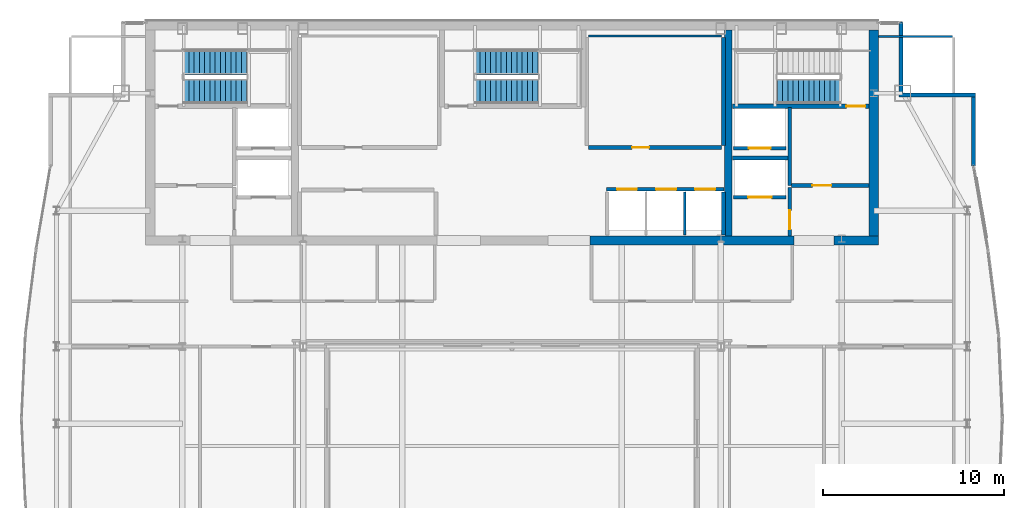
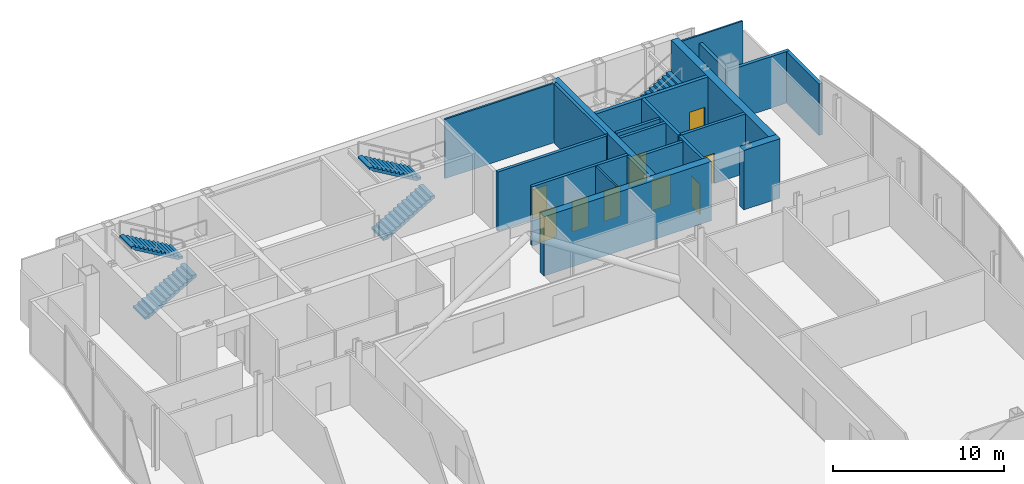
# One storey, part 24 of 27: 21 walls, 9 doors, 5 stair flights, 9 openings, 3 elements without a shape of their own.
"""IFC4 building model written with IfcOpenShell, lengths in metres."""

from ifc_helpers import new_model, si_unit, direction, frame, frame_2d, origin, place, context, subcontext, project, spatial, polyline, rectangle, outline, extrude, material, layer, layer_set, type_object, element, fill, aggregate, save


model = new_model("IFC4")

# Units and contexts
model_context = context("Model", 3, precision=1e-05, world=origin(), true_north=direction((0.0, 1.0)))
body_context = subcontext(model_context, "Body", "Model", "MODEL_VIEW")
ifc_project = project(units=[si_unit("LENGTHUNIT", "METRE"), si_unit("AREAUNIT", "SQUARE_METRE"), si_unit("VOLUMEUNIT", "CUBIC_METRE"), si_unit("PLANEANGLEUNIT", "RADIAN"), si_unit("MASSUNIT", "GRAM", prefix="KILO")], contexts=[model_context])

# Site, building, storey
site_placement = place(None, origin())
site = spatial("IfcSite", under=ifc_project, at=site_placement, CompositionType="ELEMENT")
building_placement = place(site_placement, origin())
building = spatial("IfcBuilding", under=site, at=building_placement, Name="Khoronbel Lancet Exchange", CompositionType="ELEMENT")
storey_placement = place(building_placement, frame((0.0, 0.0, 305.800048828125)))
storey = spatial("IfcBuildingStorey", under=building, at=storey_placement, Name="L79", CompositionType="ELEMENT", Elevation=305.800048828125)

# Walls
ifc_material_1 = material(Name="Concrete C60/75", Category="concrete")
ifc_layer_1 = layer(ifc_material_1, 0.5, Name="Concrete C60/75")
ifc_layer_set_1 = layer_set([ifc_layer_1], Name="Concrete C60/75")
wall_type_1 = type_object("IfcWallType", Name="WL-CW4", PredefinedType="SHEAR", material=ifc_layer_set_1)
wall_1_placement = place(storey_placement, frame((56.449951171875, 53.199951171875, 0.0), z_axis=(0.0, 0.0, 1.0), x_axis=(0.0, -1.0, 0.0)))
element("IfcWall", 1, at=wall_1_placement, inside=storey, type_object=wall_type_1, Name="Level L79 rear core east shear wall", PredefinedType="SHEAR", context=body_context, shape_type="SweptSolid", body=[
    extrude(rectangle(XDim=11.39990234375, YDim=0.5, at=frame_2d((5.699951171875, 0.0))), origin(), (0.0, 0.0, 1.0), 4.239990234375),
])
wall_2_placement = place(storey_placement, frame((52.050048828125, 41.550048828125, 0.0), z_axis=(0.0, 0.0, 1.0), x_axis=(-1.0, 0.0, 0.0)))
element("IfcWall", 2, at=wall_2_placement, inside=storey, type_object=wall_type_1, Name="Level L79 rear core south shear wall pier P4", PredefinedType="SHEAR", context=body_context, shape_type="SweptSolid", body=[
    extrude(rectangle(XDim=11.300048828125, YDim=0.5, at=frame_2d((5.64990234375, 0.0))), origin(), (0.0, 0.0, 1.0), 4.239990234375),
])
wall_3_placement = place(storey_placement, frame((56.699951171875, 41.550048828125, 0.0), z_axis=(0.0, 0.0, 1.0), x_axis=(-1.0, 0.0, 0.0)))
element("IfcWall", 3, at=wall_3_placement, inside=storey, type_object=wall_type_1, Name="Level L79 rear core south shear wall pier P5", PredefinedType="SHEAR", context=body_context, shape_type="SweptSolid", body=[
    extrude(rectangle(XDim=2.449951171875, YDim=0.5, at=frame_2d((1.22509765625, 0.0))), origin(), (0.0, 0.0, 1.0), 4.239990234375),
])
ifc_material_2 = material(Name="Precast concrete C40/50", Category="concrete")
ifc_layer_2 = layer(ifc_material_2, 0.25, Name="Precast concrete C40/50")
ifc_layer_set_2 = layer_set([ifc_layer_2], Name="Precast concrete C40/50")
wall_type_2 = type_object("IfcWallType", Name="WL-EXT250", PredefinedType="SOLIDWALL", material=ifc_layer_set_2)
wall_4_placement = place(storey_placement, frame((57.9599609375, 53.6298828125, 0.0), z_axis=(0.0, 0.0, 1.0), x_axis=(0.0, -1.0, 0.0)))
element("IfcWall", 4, at=wall_4_placement, inside=storey, type_object=wall_type_2, Name="Level L79 notched-corner limestone pier 14", PredefinedType="SOLIDWALL", context=body_context, shape_type="SweptSolid", body=[
    extrude(rectangle(XDim=3.909912109375, YDim=0.219970703125, at=frame_2d((1.955078125, 0.0))), origin(), (0.0, 0.0, 1.0), 3.679931640625),
])
wall_5_placement = place(storey_placement, frame((57.85009765625, 49.610107421875, 0.0), z_axis=(0.0, 0.0, 1.0), x_axis=(1.0, 0.0, 0.0)))
element("IfcWall", 5, at=wall_5_placement, inside=storey, type_object=wall_type_2, Name="Level L79 notched-corner limestone pier 15", PredefinedType="SOLIDWALL", context=body_context, shape_type="SweptSolid", body=[
    extrude(rectangle(XDim=4.219970703125, YDim=0.219970703125, at=frame_2d((2.10986328125, 0.0))), origin(), (0.0, 0.0, 1.0), 3.679931640625),
])
wall_6_placement = place(storey_placement, frame((61.9599609375, 49.5, 0.0), z_axis=(0.0, 0.0, 1.0), x_axis=(0.0, -1.0, 0.0)))
element("IfcWall", 6, at=wall_6_placement, inside=storey, type_object=wall_type_2, Name="Level L79 notched-corner limestone pier 16", PredefinedType="SOLIDWALL", context=body_context, shape_type="SweptSolid", body=[
    extrude(rectangle(XDim=3.82763671875, YDim=0.219970703125, at=frame_2d((1.913818359375, 0.0))), origin(), (0.0, 0.0, 1.0), 3.679931640625),
])
ifc_material_3 = material(Name="Acoustic Metal-Stud & Mineral-Wool Gypsum Partition 120 mm", Category="gypsum")
ifc_layer_3 = layer(ifc_material_3, 0.1201171875, Name="Acoustic Metal-Stud & Mineral-Wool Gypsum Partition 120 mm")
ifc_layer_set_3 = layer_set([ifc_layer_3], Name="Acoustic Metal-Stud & Mineral-Wool Gypsum Partition 120 mm")
wall_type_3 = type_object("IfcWallType", Name="WL-PRT120", PredefinedType="PARTITIONING", material=ifc_layer_set_3)
wall_7_placement = place(storey_placement, frame((56.699951171875, 52.840087890625, 0.0), z_axis=(0.0, 0.0, 1.0), x_axis=(1.0, 0.0, 0.0)))
element("IfcWall", 7, at=wall_7_placement, inside=storey, type_object=wall_type_3, Name="Level L79 interior partition PW-LIN-NE", PredefinedType="PARTITIONING", context=body_context, shape_type="SweptSolid", body=[
    extrude(rectangle(XDim=4.10498046875, YDim=0.1201171875, at=frame_2d((2.052490234375, 0.0))), origin(), (0.0, 0.0, 1.0), 4.239990234375),
])
ifc_material_4 = material(Name="Fire-Rated Metal-Stud & Mineral-Wool Gypsum Partition 120 mm", Category="gypsum")
ifc_layer_4 = layer(ifc_material_4, 0.1201171875, Name="Fire-Rated Metal-Stud & Mineral-Wool Gypsum Partition 120 mm")
ifc_layer_set_4 = layer_set([ifc_layer_4], Name="Fire-Rated Metal-Stud & Mineral-Wool Gypsum Partition 120 mm")
wall_type_4 = type_object("IfcWallType", Name="WL-PRT120F", PredefinedType="PARTITIONING", material=ifc_layer_set_4)
wall_8_placement = place(storey_placement, frame((40.68505859375, 52.860107421875, 0.0), z_axis=(0.0, 0.0, 1.0), x_axis=(1.0, 0.0, 0.0)))
element("IfcWall", 8, at=wall_8_placement, inside=storey, type_object=wall_type_4, Name="Level L79 interior partition CW-PH-RN", PredefinedType="PARTITIONING", context=body_context, shape_type="SweptSolid", body=[
    extrude(rectangle(XDim=7.349853515625, YDim=0.1201171875, at=frame_2d((3.6748046875, 0.0))), origin(), (0.0, 0.0, 1.0), 4.239990234375),
])
wall_9_placement = place(storey_placement, frame((46.0, 41.85009765625, 0.0), z_axis=(0.0, 0.0, 1.0), x_axis=(0.0, 1.0, 0.0)))
element("IfcWall", 9, at=wall_9_placement, inside=storey, type_object=wall_type_4, Name="Level L79 interior partition CW-PX-D2", PredefinedType="PARTITIONING", context=body_context, shape_type="SweptSolid", body=[
    extrude(rectangle(XDim=2.39990234375, YDim=0.1201171875, at=frame_2d((1.199951171875, 0.0))), origin(), (0.0, 0.0, 1.0), 4.239990234375),
])

# Wall, openings, doors
ifc_material_5 = material(Name="Autoclaved Aerated Concrete Blockwork 200 mm", Category="masonry")
ifc_layer_5 = layer(ifc_material_5, 0.199951171875, Name="Autoclaved Aerated Concrete Blockwork 200 mm")
ifc_layer_set_5 = layer_set([ifc_layer_5], Name="Autoclaved Aerated Concrete Blockwork 200 mm")
wall_type_5 = type_object("IfcWallType", Name="WL-PRT200", PredefinedType="PARTITIONING", material=ifc_layer_set_5)
wall_10_placement = place(storey_placement, frame((41.679931640625, 44.39990234375, 0.0), z_axis=(0.0, 0.0, 1.0), x_axis=(1.0, 0.0, 0.0)))
wall_10 = element("IfcWall", 10, at=wall_10_placement, inside=storey, type_object=wall_type_5, Name="Level L79 elevator hoistway landing front wall PXE", PredefinedType="PARTITIONING", context=body_context, shape_type="SweptSolid", body=[
    extrude(rectangle(XDim=6.47998046875, YDim=0.199951171875, at=frame_2d((3.239990234375, 0.0))), origin(), (0.0, 0.0, 1.0), 4.239990234375),
])
opening_1_placement = place(wall_10_placement, frame((0.580078125, 0.0, 0.0)))
opening_1 = element("IfcOpeningElement", 11, at=opening_1_placement, cuts=wall_10, Name="Opening LD-PX1", PredefinedType="OPENING", context=body_context, shape_type="SweptSolid", body=[
    extrude(rectangle(XDim=1.10009765625, YDim=2.179931640625, at=frame_2d((0.550048828125, 1.08984375))), frame((0.0, 0.10986328125, 0.0), z_axis=(0.0, -1.0, 0.0), x_axis=(1.0, 0.0, 0.0)), (0.0, 0.0, 1.0), 0.219970703125),
])
opening_2_placement = place(wall_10_placement, frame((2.739990234375, 0.0, 0.0)))
opening_2 = element("IfcOpeningElement", 12, at=opening_2_placement, cuts=wall_10, Name="Opening LD-PX2", PredefinedType="OPENING", context=body_context, shape_type="SweptSolid", body=[
    extrude(rectangle(XDim=1.10009765625, YDim=2.179931640625, at=frame_2d((0.550048828125, 1.08984375))), frame((0.0, 0.10986328125, 0.0), z_axis=(0.0, -1.0, 0.0), x_axis=(1.0, 0.0, 0.0)), (0.0, 0.0, 1.0), 0.219970703125),
])
opening_3_placement = place(wall_10_placement, frame((4.89990234375, 0.0, 0.0)))
opening_3 = element("IfcOpeningElement", 13, at=opening_3_placement, cuts=wall_10, Name="Opening LD-PX3", PredefinedType="OPENING", context=body_context, shape_type="SweptSolid", body=[
    extrude(rectangle(XDim=1.10009765625, YDim=2.179931640625, at=frame_2d((0.550048828125, 1.08984375))), frame((0.0, 0.10986328125, 0.0), z_axis=(0.0, -1.0, 0.0), x_axis=(1.0, 0.0, 0.0)), (0.0, 0.0, 1.0), 0.219970703125),
])
ifc_material_6 = material(Name="Brushed Bronze Bi-Parting Elevator Landing Door", Category="steel")
door_type_1 = type_object("IfcDoorType", Name="DR-LD-PAX", OperationType="NOTDEFINED", PredefinedType="DOOR", material=ifc_material_6)
door_1_placement = place(opening_1_placement, origin())
door_1 = element("IfcDoor", 14, at=door_1_placement, inside=storey, type_object=door_type_1, Name="Elevator landing sliding door LD-PX1 L79", OperationType="SLIDING_TO_LEFT", OverallHeight=2.179931640625, OverallWidth=1.10009765625, PredefinedType="DOOR", context=body_context, shape_type="SweptSolid", body=[
    extrude(rectangle(XDim=1.10009765625, YDim=2.179931640625, at=frame_2d((0.550048828125, 1.08984375))), frame((0.0, 0.02490234375, 0.0), z_axis=(0.0, -1.0, 0.0), x_axis=(1.0, 0.0, 0.0)), (0.0, 0.0, 1.0), 0.050048828125),
])
fill(opening_1, door_1)
door_2_placement = place(opening_2_placement, origin())
door_2 = element("IfcDoor", 15, at=door_2_placement, inside=storey, type_object=door_type_1, Name="Elevator landing sliding door LD-PX2 L79", OperationType="SLIDING_TO_LEFT", OverallHeight=2.179931640625, OverallWidth=1.10009765625, PredefinedType="DOOR", context=body_context, shape_type="SweptSolid", body=[
    extrude(rectangle(XDim=1.10009765625, YDim=2.179931640625, at=frame_2d((0.550048828125, 1.08984375))), frame((0.0, 0.02490234375, 0.0), z_axis=(0.0, -1.0, 0.0), x_axis=(1.0, 0.0, 0.0)), (0.0, 0.0, 1.0), 0.050048828125),
])
fill(opening_2, door_2)
door_3_placement = place(opening_3_placement, origin())
door_3 = element("IfcDoor", 16, at=door_3_placement, inside=storey, type_object=door_type_1, Name="Elevator landing sliding door LD-PX3 L79", OperationType="SLIDING_TO_LEFT", OverallHeight=2.179931640625, OverallWidth=1.10009765625, PredefinedType="DOOR", context=body_context, shape_type="SweptSolid", body=[
    extrude(rectangle(XDim=1.10009765625, YDim=2.179931640625, at=frame_2d((0.550048828125, 1.08984375))), frame((0.0, 0.02490234375, 0.0), z_axis=(0.0, -1.0, 0.0), x_axis=(1.0, 0.0, 0.0)), (0.0, 0.0, 1.0), 0.050048828125),
])
fill(opening_3, door_3)

# Wall, opening, door
wall_11_placement = place(storey_placement, frame((51.610107421875, 43.949951171875, 0.0), z_axis=(0.0, 0.0, 1.0), x_axis=(-1.0, 0.0, 0.0)))
wall_11 = element("IfcWall", 17, at=wall_11_placement, inside=storey, type_object=wall_type_5, Name="Level L79 elevator hoistway landing front wall SVLE", PredefinedType="PARTITIONING", context=body_context, shape_type="SweptSolid", body=[
    extrude(rectangle(XDim=2.920166015625, YDim=0.199951171875, at=frame_2d((1.4599609375, 0.0))), origin(), (0.0, 0.0, 1.0), 4.239990234375),
])
opening_4_placement = place(wall_11_placement, frame((0.81005859375, 0.0, 0.0)))
opening_4 = element("IfcOpeningElement", 18, at=opening_4_placement, cuts=wall_11, Name="Opening LD-SVL2", PredefinedType="OPENING", context=body_context, shape_type="SweptSolid", body=[
    extrude(rectangle(XDim=1.300048828125, YDim=2.179931640625, at=frame_2d((0.64990234375, 1.08984375))), frame((0.0, 0.10986328125, 0.0), z_axis=(0.0, -1.0, 0.0), x_axis=(1.0, 0.0, 0.0)), (0.0, 0.0, 1.0), 0.219970703125),
])
ifc_material_7 = material(Name="Heavy-Duty Bi-Parting Goods Lift Landing Door", Category="steel")
door_type_2 = type_object("IfcDoorType", Name="DR-LD-SVL", OperationType="NOTDEFINED", PredefinedType="DOOR", material=ifc_material_7)
door_4_placement = place(opening_4_placement, origin())
door_4 = element("IfcDoor", 19, at=door_4_placement, inside=storey, type_object=door_type_2, Name="Elevator landing sliding door LD-SVL2 L79", OperationType="SLIDING_TO_LEFT", OverallHeight=2.179931640625, OverallWidth=1.300048828125, PredefinedType="DOOR", context=body_context, shape_type="SweptSolid", body=[
    extrude(rectangle(XDim=1.300048828125, YDim=2.179931640625, at=frame_2d((0.64990234375, 1.08984375))), frame((0.0, 0.02490234375, 0.0), z_axis=(0.0, -1.0, 0.0), x_axis=(1.0, 0.0, 0.0)), (0.0, 0.0, 1.0), 0.050048828125),
])
fill(opening_4, door_4)

wall_12_placement = place(storey_placement, frame((51.610107421875, 46.64990234375, 0.0), z_axis=(0.0, 0.0, 1.0), x_axis=(-1.0, 0.0, 0.0)))
wall_12 = element("IfcWall", 20, at=wall_12_placement, inside=storey, type_object=wall_type_5, Name="Level L79 elevator hoistway landing front wall FFLE", PredefinedType="PARTITIONING", context=body_context, shape_type="SweptSolid", body=[
    extrude(rectangle(XDim=2.920166015625, YDim=0.199951171875, at=frame_2d((1.4599609375, 0.0))), origin(), (0.0, 0.0, 1.0), 4.239990234375),
])
opening_5_placement = place(wall_12_placement, frame((0.860107421875, 0.0, 0.0)))
opening_5 = element("IfcOpeningElement", 21, at=opening_5_placement, cuts=wall_12, Name="Opening LD-FFL2", PredefinedType="OPENING", context=body_context, shape_type="SweptSolid", body=[
    extrude(rectangle(XDim=1.199951171875, YDim=2.179931640625, at=frame_2d((0.60009765625, 1.08984375))), frame((0.0, 0.10986328125, 0.0), z_axis=(0.0, -1.0, 0.0), x_axis=(1.0, 0.0, 0.0)), (0.0, 0.0, 1.0), 0.219970703125),
])
ifc_material_8 = material(Name="Fire-Rated Stainless Bi-Parting Firefighting Lift Door", Category="steel")
door_type_3 = type_object("IfcDoorType", Name="DR-LD-FFL", OperationType="NOTDEFINED", PredefinedType="DOOR", material=ifc_material_8)
door_5_placement = place(opening_5_placement, origin())
door_5 = element("IfcDoor", 22, at=door_5_placement, inside=storey, type_object=door_type_3, Name="Elevator landing sliding door LD-FFL2 L79", OperationType="SLIDING_TO_LEFT", OverallHeight=2.179931640625, OverallWidth=1.199951171875, PredefinedType="DOOR", context=body_context, shape_type="SweptSolid", body=[
    extrude(rectangle(XDim=1.199951171875, YDim=2.179931640625, at=frame_2d((0.60009765625, 1.08984375))), frame((0.0, 0.02490234375, 0.0), z_axis=(0.0, -1.0, 0.0), x_axis=(1.0, 0.0, 0.0)), (0.0, 0.0, 1.0), 0.050048828125),
])
fill(opening_5, door_5)

# Wall
wall_13_placement = place(storey_placement, frame((51.800048828125, 44.60009765625, 0.0), z_axis=(0.0, 0.0, 1.0), x_axis=(0.0, 1.0, 0.0)))
element("IfcWall", 23, at=wall_13_placement, inside=storey, type_object=wall_type_5, Name="Level L79 interior partition CW-FFLE-W", PredefinedType="PARTITIONING", context=body_context, shape_type="SweptSolid", body=[
    extrude(rectangle(XDim=4.2998046875, YDim=0.199951171875, at=frame_2d((2.14990234375, 0.0))), origin(), (0.0, 0.0, 1.0), 4.239990234375),
])

# Wall, opening, door
wall_14_placement = place(storey_placement, frame((51.89990234375, 44.60009765625, 0.0), z_axis=(0.0, 0.0, 1.0), x_axis=(1.0, 0.0, 0.0)))
wall_14 = element("IfcWall", 24, at=wall_14_placement, inside=storey, type_object=wall_type_5, Name="Level L79 interior partition CW-FFLE-S", PredefinedType="PARTITIONING", context=body_context, shape_type="SweptSolid", body=[
    extrude(rectangle(XDim=4.300048828125, YDim=0.199951171875, at=frame_2d((2.14990234375, 0.0))), origin(), (0.0, 0.0, 1.0), 4.239990234375),
])
opening_6_placement = place(wall_14_placement, frame((1.14990234375, 0.0, 0.0)))
opening_6 = element("IfcOpeningElement", 25, at=opening_6_placement, cuts=wall_14, Name="Opening FD1", PredefinedType="OPENING", context=body_context, shape_type="SweptSolid", body=[
    extrude(rectangle(XDim=1.050048828125, YDim=2.14990234375, at=frame_2d((0.52490234375, 1.074951171875))), frame((0.0, 0.10986328125, 0.0), z_axis=(0.0, -1.0, 0.0), x_axis=(1.0, 0.0, 0.0)), (0.0, 0.0, 1.0), 0.219970703125),
])
ifc_material_9 = material(Name="Fire-Rated Painted Steel Door Assembly", Category="steel")
door_type_4 = type_object("IfcDoorType", Name="DR-FD1", OperationType="NOTDEFINED", PredefinedType="DOOR", material=ifc_material_9)
door_6_placement = place(opening_6_placement, origin())
door_6 = element("IfcDoor", 26, at=door_6_placement, inside=storey, type_object=door_type_4, Name="East firefighting lobby FD90S door L79-1", OperationType="SINGLE_SWING_RIGHT", OverallHeight=2.14990234375, OverallWidth=1.050048828125, PredefinedType="DOOR", context=body_context, shape_type="SweptSolid", body=[
    extrude(rectangle(XDim=1.050048828125, YDim=2.14990234375, at=frame_2d((0.52490234375, 1.074951171875))), frame((0.0, 0.02490234375, 0.0), z_axis=(0.0, -1.0, 0.0), x_axis=(1.0, 0.0, 0.0)), (0.0, 0.0, 1.0), 0.050048828125),
])
fill(opening_6, door_6)

# Wall
wall_15_placement = place(storey_placement, frame((48.6298828125, 46.1201171875, 0.0), z_axis=(0.0, 0.0, 1.0), x_axis=(1.0, 0.0, 0.0)))
element("IfcWall", 27, at=wall_15_placement, inside=storey, type_object=wall_type_5, Name="Level L79 interior partition CW-FFL2-S", PredefinedType="PARTITIONING", context=body_context, shape_type="SweptSolid", body=[
    extrude(rectangle(XDim=3.070068359375, YDim=0.199951171875, at=frame_2d((1.53515625, 0.0))), origin(), (0.0, 0.0, 1.0), 4.239990234375),
])

# Wall, opening, door
wall_16_placement = place(storey_placement, frame((51.800048828125, 41.800048828125, 0.0), z_axis=(0.0, 0.0, 1.0), x_axis=(0.0, 1.0, 0.0)))
wall_16 = element("IfcWall", 28, at=wall_16_placement, inside=storey, type_object=wall_type_5, Name="Level L79 interior partition CW-SVLE-E", PredefinedType="PARTITIONING", context=body_context, shape_type="SweptSolid", body=[
    extrude(rectangle(XDim=2.695068359375, YDim=0.199951171875, at=frame_2d((1.34765625, 0.0))), origin(), (0.0, 0.0, 1.0), 4.239990234375),
])
opening_7_placement = place(wall_16_placement, frame((0.3798828125, 0.0, 0.0)))
opening_7 = element("IfcOpeningElement", 29, at=opening_7_placement, cuts=wall_16, Name="Opening FD1", PredefinedType="OPENING", context=body_context, shape_type="SweptSolid", body=[
    extrude(rectangle(XDim=1.050048828125, YDim=2.14990234375, at=frame_2d((0.52490234375, 1.074951171875))), frame((0.0, 0.10986328125, 0.0), z_axis=(0.0, -1.0, 0.0), x_axis=(1.0, 0.0, 0.0)), (0.0, 0.0, 1.0), 0.219970703125),
])
door_7_placement = place(opening_7_placement, origin())
door_7 = element("IfcDoor", 30, at=door_7_placement, inside=storey, type_object=door_type_4, Name="East service lift lobby door L79-1", OperationType="SINGLE_SWING_LEFT", OverallHeight=2.14990234375, OverallWidth=1.050048828125, PredefinedType="DOOR", context=body_context, shape_type="SweptSolid", body=[
    extrude(rectangle(XDim=1.050048828125, YDim=2.14990234375, at=frame_2d((0.52490234375, 1.074951171875))), frame((0.0, 0.02490234375, 0.0), z_axis=(0.0, -1.0, 0.0), x_axis=(1.0, 0.0, 0.0)), (0.0, 0.0, 1.0), 0.050048828125),
])
fill(opening_7, door_7)

# Wall
wall_17_placement = place(storey_placement, frame((48.139892578125, 46.804931640625, 0.0), z_axis=(0.0, 0.0, 1.0), x_axis=(0.0, 1.0, 0.0)))
element("IfcWall", 31, at=wall_17_placement, inside=storey, type_object=wall_type_5, Name="Level L79 interior partition CW-PH-RE", PredefinedType="PARTITIONING", context=body_context, shape_type="SweptSolid", body=[
    extrude(rectangle(XDim=5.989990234375, YDim=0.199951171875, at=frame_2d((2.9951171875, 0.0))), origin(), (0.0, 0.0, 1.0), 4.239990234375),
])

# Wall, opening, door
wall_18_placement = place(storey_placement, frame((40.68505859375, 46.699951171875, 0.0), z_axis=(0.0, 0.0, 1.0), x_axis=(1.0, 0.0, 0.0)))
wall_18 = element("IfcWall", 32, at=wall_18_placement, inside=storey, type_object=wall_type_5, Name="Level L79 interior partition CW-PH-RF", PredefinedType="PARTITIONING", context=body_context, shape_type="SweptSolid", body=[
    extrude(rectangle(XDim=7.349853515625, YDim=0.199951171875, at=frame_2d((3.6748046875, 0.0))), origin(), (0.0, 0.0, 1.0), 4.239990234375),
])
opening_8_placement = place(wall_18_placement, frame((2.39990234375, 0.0, 0.0)))
opening_8 = element("IfcOpeningElement", 33, at=opening_8_placement, cuts=wall_18, Name="Opening FD3", PredefinedType="OPENING", context=body_context, shape_type="SweptSolid", body=[
    extrude(rectangle(XDim=0.949951171875, YDim=2.10009765625, at=frame_2d((0.47509765625, 1.050048828125))), frame((0.0, 0.10986328125, 0.0), z_axis=(0.0, -1.0, 0.0), x_axis=(1.0, 0.0, 0.0)), (0.0, 0.0, 1.0), 0.219970703125),
])
ifc_material_10 = material(Name="Fire-Rated Steel Plant & Riser Door Assembly", Category="steel")
door_type_5 = type_object("IfcDoorType", Name="DR-FD3", OperationType="NOTDEFINED", PredefinedType="DOOR", material=ifc_material_10)
door_8_placement = place(opening_8_placement, origin())
door_8 = element("IfcDoor", 34, at=door_8_placement, inside=storey, type_object=door_type_5, Name="Reclaimed PH room door L79-1", OperationType="SINGLE_SWING_RIGHT", OverallHeight=2.10009765625, OverallWidth=0.949951171875, PredefinedType="DOOR", context=body_context, shape_type="SweptSolid", body=[
    extrude(rectangle(XDim=0.949951171875, YDim=2.10009765625, at=frame_2d((0.47509765625, 1.050048828125))), frame((0.0, 0.02490234375, 0.0), z_axis=(0.0, -1.0, 0.0), x_axis=(1.0, 0.0, 0.0)), (0.0, 0.0, 1.0), 0.050048828125),
])
fill(opening_8, door_8)

# Walls
wall_19_placement = place(storey_placement, frame((48.139892578125, 41.85009765625, 0.0), z_axis=(0.0, 0.0, 1.0), x_axis=(0.0, 1.0, 0.0)))
element("IfcWall", 35, at=wall_19_placement, inside=storey, type_object=wall_type_5, Name="Level L79 interior partition CW-PX-E", PredefinedType="PARTITIONING", context=body_context, shape_type="SweptSolid", body=[
    extrude(rectangle(XDim=2.39990234375, YDim=0.199951171875, at=frame_2d((1.199951171875, 0.0))), origin(), (0.0, 0.0, 1.0), 4.239990234375),
])
ifc_layer_6 = layer(ifc_material_1, 0.39990234375, Name="Concrete C60/75")
ifc_layer_set_6 = layer_set([ifc_layer_6], Name="Concrete C60/75")
wall_type_6 = type_object("IfcWallType", Name="WL-SW2", PredefinedType="SHEAR", material=ifc_layer_set_6)
wall_20_placement = place(storey_placement, frame((48.39990234375, 41.800048828125, 0.0), z_axis=(0.0, 0.0, 1.0), x_axis=(0.0, 1.0, 0.0)))
element("IfcWall", 36, at=wall_20_placement, inside=storey, type_object=wall_type_6, Name="Level L79 rear core internal spine shear wall IE", PredefinedType="SHEAR", context=body_context, shape_type="SweptSolid", body=[
    extrude(rectangle(XDim=11.39990234375, YDim=0.39990234375, at=frame_2d((5.699951171875, 0.0))), origin(), (0.0, 0.0, 1.0), 4.239990234375),
])

# Wall, opening, door
ifc_layer_7 = layer(ifc_material_1, 0.260009765625, Name="Concrete C60/75")
ifc_layer_set_7 = layer_set([ifc_layer_7], Name="Concrete C60/75")
wall_type_7 = type_object("IfcWallType", Name="WL-SW3", PredefinedType="SHEAR", material=ifc_layer_set_7)
wall_21_placement = place(storey_placement, frame((48.6298828125, 48.97998046875, 0.0), z_axis=(0.0, 0.0, 1.0), x_axis=(1.0, 0.0, 0.0)))
wall_21 = element("IfcWall", 37, at=wall_21_placement, inside=storey, type_object=wall_type_7, Name="Level L79 east stairwell structural south wall", PredefinedType="SHEAR", context=body_context, shape_type="SweptSolid", body=[
    extrude(rectangle(XDim=7.570068359375, YDim=0.239990234375, at=frame_2d((3.78515625, 0.0))), origin(), (0.0, 0.0, 1.0), 4.239990234375),
])
opening_9_placement = place(wall_21_placement, frame((6.300048828125, 0.0, 0.0)))
opening_9 = element("IfcOpeningElement", 38, at=opening_9_placement, cuts=wall_21, Name="Opening SD1", PredefinedType="OPENING", context=body_context, shape_type="SweptSolid", body=[
    extrude(rectangle(XDim=1.050048828125, YDim=2.14990234375, at=frame_2d((0.52490234375, 1.074951171875))), frame((0.0, 0.1298828125, 0.0), z_axis=(0.0, -1.0, 0.0), x_axis=(1.0, 0.0, 0.0)), (0.0, 0.0, 1.0), 0.260009765625),
])
ifc_material_11 = material(Name="Fire-Rated Steel Stairwell Door Assembly", Category="steel")
door_type_6 = type_object("IfcDoorType", Name="DR-SD1", OperationType="NOTDEFINED", PredefinedType="DOOR", material=ifc_material_11)
door_9_placement = place(opening_9_placement, origin())
door_9 = element("IfcDoor", 39, at=door_9_placement, inside=storey, type_object=door_type_6, Name="Protected exit stair ST2 door L79", OperationType="SINGLE_SWING_RIGHT", OverallHeight=2.14990234375, OverallWidth=1.050048828125, PredefinedType="DOOR", context=body_context, shape_type="SweptSolid", body=[
    extrude(rectangle(XDim=1.050048828125, YDim=2.14990234375, at=frame_2d((0.52490234375, 1.074951171875))), frame((0.0, 0.02490234375, 0.0), z_axis=(0.0, -1.0, 0.0), x_axis=(1.0, 0.0, 0.0)), (0.0, 0.0, 1.0), 0.050048828125),
])
fill(opening_9, door_9)

# Stair, stair flights
ifc_material_12 = material(Name="Concrete C40/50", Category="concrete")
stair_type = type_object("IfcStairType", Name="STR-CORE150", PredefinedType="HALF_TURN_STAIR", material=ifc_material_12)
stair_1_placement = place(storey_placement, origin())
stair_1 = element("IfcStair", 40, at=stair_1_placement, inside=storey, type_object=stair_type, Name="L79 Protected Exit Stair ST1", PredefinedType="HALF_TURN_STAIR")
stair_flight_type = type_object("IfcStairFlightType", Name="STF-150", PredefinedType="STRAIGHT", material=ifc_material_12)
stair_flight_1_placement = place(storey_placement, frame((18.300048828125, 49.81005859375, 0.0), z_axis=(0.0, 0.0, 1.0), x_axis=(1.0, 0.0, 0.0)))
stair_flight_1 = element("IfcStairFlight", 41, at=stair_flight_1_placement, type_object=stair_flight_type, Name="ST1 flight 1", NumberOfRisers=13, NumberOfTreads=12, PredefinedType="STRAIGHT", RiserHeight=0.169230769, TreadLength=0.29, context=body_context, shape_type="SweptSolid", body=[
    extrude(outline(polyline([(0.0, 0.0), (0.0, 0.169189453125), (0.2900390625, 0.169189453125), (0.2900390625, 0.33837890625), (0.580078125, 0.33837890625), (0.580078125, 0.5078125), (0.8701171875, 0.5078125), (0.8701171875, 0.677001953125), (1.159912109375, 0.677001953125), (1.159912109375, 0.84619140625), (1.449951171875, 0.84619140625), (1.449951171875, 1.015380859375), (1.739990234375, 1.015380859375), (1.739990234375, 1.1845703125), (2.030029296875, 1.1845703125), (2.030029296875, 1.353759765625), (2.320068359375, 1.353759765625), (2.320068359375, 1.523193359375), (2.610107421875, 1.523193359375), (2.610107421875, 1.6923828125), (2.89990234375, 1.6923828125), (2.89990234375, 1.861572265625), (3.18994140625, 1.861572265625), (3.18994140625, 2.03076171875), (3.47998046875, 2.03076171875), (3.47998046875, 2.199951171875), (3.47998046875, 1.857177734375), (0.29736328125, 0.0), (0.0, 0.0)])), frame((0.0, 0.68994140625, 0.0), z_axis=(0.0, -1.0, 0.0), x_axis=(1.0, 0.0, 0.0)), (0.0, 0.0, 1.0), 1.3798828125),
])
stair_flight_2_placement = place(storey_placement, frame((21.780029296875, 51.409912109375, 2.199951171875), z_axis=(0.0, 0.0, 1.0), x_axis=(-1.0, 0.0, 0.0)))
stair_flight_2 = element("IfcStairFlight", 42, at=stair_flight_2_placement, type_object=stair_flight_type, Name="ST1 flight 2", NumberOfRisers=13, NumberOfTreads=12, PredefinedType="STRAIGHT", RiserHeight=0.169230769, TreadLength=0.29, context=body_context, shape_type="SweptSolid", body=[
    extrude(outline(polyline([(0.0, 0.0), (0.0, 0.169189453125), (0.2900390625, 0.169189453125), (0.2900390625, 0.33837890625), (0.580078125, 0.33837890625), (0.580078125, 0.5078125), (0.8701171875, 0.5078125), (0.8701171875, 0.677001953125), (1.159912109375, 0.677001953125), (1.159912109375, 0.84619140625), (1.449951171875, 0.84619140625), (1.449951171875, 1.015380859375), (1.739990234375, 1.015380859375), (1.739990234375, 1.1845703125), (2.030029296875, 1.1845703125), (2.030029296875, 1.353759765625), (2.320068359375, 1.353759765625), (2.320068359375, 1.523193359375), (2.610107421875, 1.523193359375), (2.610107421875, 1.6923828125), (2.89990234375, 1.6923828125), (2.89990234375, 1.861572265625), (3.18994140625, 1.861572265625), (3.18994140625, 2.03076171875), (3.47998046875, 2.03076171875), (3.47998046875, 2.199951171875), (3.47998046875, 1.857177734375), (0.29736328125, 0.0), (0.0, 0.0)])), frame((0.0, 0.68994140625, 0.0), z_axis=(0.0, -1.0, 0.0), x_axis=(1.0, 0.0, 0.0)), (0.0, 0.0, 1.0), 1.3798828125),
])
aggregate(stair_1, [stair_flight_1, stair_flight_2])

# Stair, stair flight
stair_2_placement = place(storey_placement, origin())
stair_2 = element("IfcStair", 43, at=stair_2_placement, inside=storey, type_object=stair_type, Name="L79 Protected Exit Stair ST2", PredefinedType="HALF_TURN_STAIR")
stair_flight_3_placement = place(storey_placement, frame((51.1201171875, 49.81005859375, 2.199951171875), z_axis=(0.0, 0.0, 1.0), x_axis=(1.0, 0.0, 0.0)))
stair_flight_3 = element("IfcStairFlight", 44, at=stair_flight_3_placement, type_object=stair_flight_type, Name="ST2 flight 2", NumberOfRisers=13, NumberOfTreads=12, PredefinedType="STRAIGHT", RiserHeight=0.169230769, TreadLength=0.29, context=body_context, shape_type="SweptSolid", body=[
    extrude(outline(polyline([(0.0, 0.0), (0.0, 0.169189453125), (0.2900390625, 0.169189453125), (0.2900390625, 0.33837890625), (0.580078125, 0.33837890625), (0.580078125, 0.5078125), (0.8701171875, 0.5078125), (0.8701171875, 0.677001953125), (1.159912109375, 0.677001953125), (1.159912109375, 0.84619140625), (1.449951171875, 0.84619140625), (1.449951171875, 1.015380859375), (1.739990234375, 1.015380859375), (1.739990234375, 1.1845703125), (2.030029296875, 1.1845703125), (2.030029296875, 1.353759765625), (2.320068359375, 1.353759765625), (2.320068359375, 1.523193359375), (2.610107421875, 1.523193359375), (2.610107421875, 1.6923828125), (2.89990234375, 1.6923828125), (2.89990234375, 1.861572265625), (3.18994140625, 1.861572265625), (3.18994140625, 2.03076171875), (3.47998046875, 2.03076171875), (3.47998046875, 2.199951171875), (3.47998046875, 1.857177734375), (0.29736328125, 0.0), (0.0, 0.0)])), frame((0.0, 0.68994140625, 0.0), z_axis=(0.0, -1.0, 0.0), x_axis=(1.0, 0.0, 0.0)), (0.0, 0.0, 1.0), 1.3798828125),
])
aggregate(stair_2, [stair_flight_3])

# Stair, stair flights
stair_3_placement = place(storey_placement, origin())
stair_3 = element("IfcStair", 45, at=stair_3_placement, inside=storey, type_object=stair_type, Name="L79 Protected Exit Stair ST3", PredefinedType="HALF_TURN_STAIR")
stair_flight_4_placement = place(storey_placement, frame((34.39990234375, 49.81005859375, 0.0), z_axis=(0.0, 0.0, 1.0), x_axis=(1.0, 0.0, 0.0)))
stair_flight_4 = element("IfcStairFlight", 46, at=stair_flight_4_placement, type_object=stair_flight_type, Name="ST3 flight 1", NumberOfRisers=13, NumberOfTreads=12, PredefinedType="STRAIGHT", RiserHeight=0.169230769, TreadLength=0.29, context=body_context, shape_type="SweptSolid", body=[
    extrude(outline(polyline([(0.0, 0.0), (0.0, 0.169189453125), (0.2900390625, 0.169189453125), (0.2900390625, 0.33837890625), (0.580078125, 0.33837890625), (0.580078125, 0.5078125), (0.8701171875, 0.5078125), (0.8701171875, 0.677001953125), (1.159912109375, 0.677001953125), (1.159912109375, 0.84619140625), (1.449951171875, 0.84619140625), (1.449951171875, 1.015380859375), (1.739990234375, 1.015380859375), (1.739990234375, 1.1845703125), (2.030029296875, 1.1845703125), (2.030029296875, 1.353759765625), (2.320068359375, 1.353759765625), (2.320068359375, 1.523193359375), (2.610107421875, 1.523193359375), (2.610107421875, 1.6923828125), (2.89990234375, 1.6923828125), (2.89990234375, 1.861572265625), (3.18994140625, 1.861572265625), (3.18994140625, 2.03076171875), (3.47998046875, 2.03076171875), (3.47998046875, 2.199951171875), (3.47998046875, 1.857177734375), (0.29736328125, 0.0), (0.0, 0.0)])), frame((0.0, 0.68994140625, 0.0), z_axis=(0.0, -1.0, 0.0), x_axis=(1.0, 0.0, 0.0)), (0.0, 0.0, 1.0), 1.3798828125),
])
stair_flight_5_placement = place(storey_placement, frame((37.8798828125, 51.409912109375, 2.199951171875), z_axis=(0.0, 0.0, 1.0), x_axis=(-1.0, 0.0, 0.0)))
stair_flight_5 = element("IfcStairFlight", 47, at=stair_flight_5_placement, type_object=stair_flight_type, Name="ST3 flight 2", NumberOfRisers=13, NumberOfTreads=12, PredefinedType="STRAIGHT", RiserHeight=0.169230769, TreadLength=0.29, context=body_context, shape_type="SweptSolid", body=[
    extrude(outline(polyline([(0.0, 0.0), (0.0, 0.169189453125), (0.2900390625, 0.169189453125), (0.2900390625, 0.33837890625), (0.580078125, 0.33837890625), (0.580078125, 0.5078125), (0.8701171875, 0.5078125), (0.8701171875, 0.677001953125), (1.159912109375, 0.677001953125), (1.159912109375, 0.84619140625), (1.449951171875, 0.84619140625), (1.449951171875, 1.015380859375), (1.739990234375, 1.015380859375), (1.739990234375, 1.1845703125), (2.030029296875, 1.1845703125), (2.030029296875, 1.353759765625), (2.320068359375, 1.353759765625), (2.320068359375, 1.523193359375), (2.610107421875, 1.523193359375), (2.610107421875, 1.6923828125), (2.89990234375, 1.6923828125), (2.89990234375, 1.861572265625), (3.18994140625, 1.861572265625), (3.18994140625, 2.03076171875), (3.47998046875, 2.03076171875), (3.47998046875, 2.199951171875), (3.47998046875, 1.857177734375), (0.29736328125, 0.0), (0.0, 0.0)])), frame((0.0, 0.68994140625, 0.0), z_axis=(0.0, -1.0, 0.0), x_axis=(1.0, 0.0, 0.0)), (0.0, 0.0, 1.0), 1.3798828125),
])
aggregate(stair_3, [stair_flight_4, stair_flight_5])

save(model, "model.ifc")
